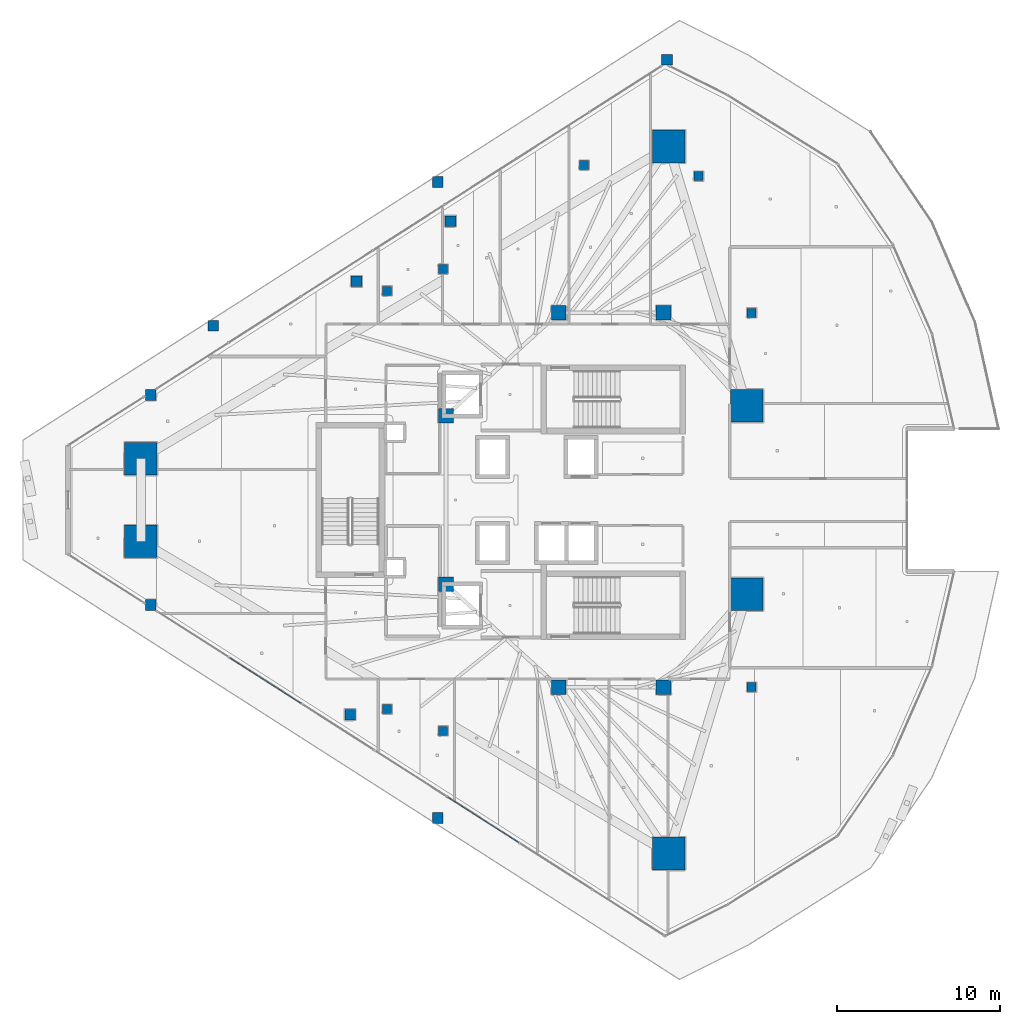
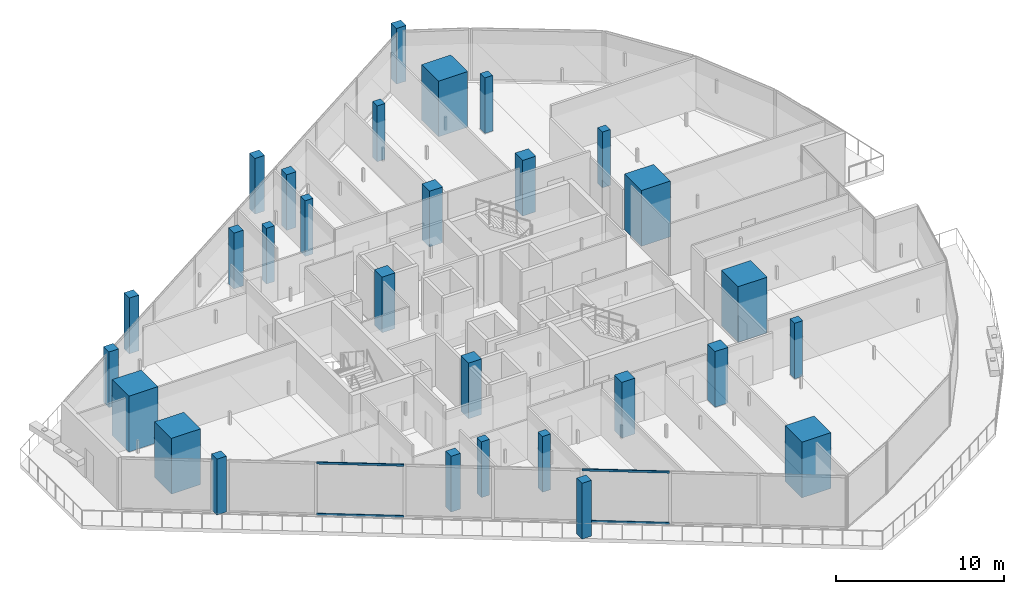
# One storey, part 1 of 33: 29 columns, 4 members, 1 element without a shape of its own.
"""IFC4 building model written with IfcOpenShell, lengths in metres."""

from ifc_helpers import new_model, si_unit, direction, frame, origin, origin_2d, place, context, subcontext, project, spatial, rectangle, hollow_rectangle, extrude, material, layer, layer_set, material_profile, profile_set, type_object, element, aggregate, save


model = new_model("IFC4")

# Units and contexts
model_context = context("Model", 3, precision=1e-05, world=origin(), true_north=direction((0.0, 1.0)))
body_context = subcontext(model_context, "Body", "Model", "MODEL_VIEW")
ifc_project = project(units=[si_unit("LENGTHUNIT", "METRE"), si_unit("AREAUNIT", "SQUARE_METRE"), si_unit("VOLUMEUNIT", "CUBIC_METRE"), si_unit("PLANEANGLEUNIT", "RADIAN"), si_unit("MASSUNIT", "GRAM", prefix="KILO")], contexts=[model_context])

# Site, building, storey
site_placement = place(None, origin())
site = spatial("IfcSite", under=ifc_project, at=site_placement, CompositionType="ELEMENT")
building_placement = place(site_placement, origin())
building = spatial("IfcBuilding", under=site, at=building_placement, Name="Qorvath Tower", CompositionType="ELEMENT")
storey_placement = place(building_placement, frame((0.0, 0.0, 209.10009765625)))
storey = spatial("IfcBuildingStorey", under=building, at=storey_placement, Name="L48", CompositionType="ELEMENT", Elevation=209.10009765625)

# Columns
ifc_material_1 = material(Name="Concrete C60/75", Category="concrete")
ifc_material_profile_1 = material_profile(ifc_material_1, rectangle(XDim=2.0, YDim=2.0, at=origin_2d()), Name="MC 2000x2000")
ifc_profile_set_1 = profile_set([ifc_material_profile_1], Name="Concrete C60/75")
column_type_1 = type_object("IfcColumnType", Name="COL-MC3", PredefinedType="COLUMN", material=ifc_profile_set_1)
for number, where, z_axis, x_axis, name in (
    (1, (-49.171875, 2.52783203125, 0.0), (0.0, 0.0, 1.0), (1.0, 0.0, 0.0), "Composite Mega-Column MC1 L48"),
    (2, (-49.171875, -2.52783203125, 0.0), (0.0, 0.0, 1.0), (1.0, 0.0, 0.0), "Composite Mega-Column MC2 L48"),
    (3, (-16.87158203125, -21.627197265625, 0.0), (0.0, 0.0, 1.0), (1.0, 0.0, 0.0), "Composite Mega-Column MC3 L48"),
    (4, (-12.0966796875, -5.7578125, 0.0), (0.0, 0.0, 1.0), (1.0, 0.0, 0.0), "Composite Mega-Column MC4 L48"),
    (5, (-12.0966796875, 5.7578125, 0.0), (0.0, 0.0, 1.0), (1.0, 0.0, 0.0), "Composite Mega-Column MC5 L48"),
    (6, (-16.87158203125, 21.627197265625, 0.0), (0.0, 0.0, 1.0), (1.0, 0.0, 0.0), "Composite Mega-Column MC6 L48"),
):
    element("IfcColumn", number, at=place(storey_placement, frame(where, z_axis=z_axis, x_axis=x_axis)), inside=storey, type_object=column_type_1, Name=name, PredefinedType="COLUMN", context=body_context, shape_type="SweptSolid", body=[
        extrude(rectangle(XDim=2.0, YDim=2.0, at=origin_2d()), origin(), (0.0, 0.0, 1.0), 4.0498046875),
    ])
ifc_material_2 = material(Name="Concrete C50/60", Category="concrete")
ifc_material_profile_2 = material_profile(ifc_material_2, rectangle(XDim=0.89990234375, YDim=0.89990234375, at=origin_2d()), Name="RC 900x900")
ifc_profile_set_2 = profile_set([ifc_material_profile_2], Name="Concrete C50/60")
column_type_2 = type_object("IfcColumnType", Name="COL-RC3", PredefinedType="COLUMN", material=ifc_profile_set_2)
for number, where, z_axis, x_axis, name in (
    (7, (-23.60009765625, 11.449951171875, 0.0), (0.0, 0.0, 1.0), (1.0, 0.0, 0.0), "Core Spine Column CC1 L48"),
    (8, (-17.199951171875, 11.449951171875, 0.0), (0.0, 0.0, 1.0), (1.0, 0.0, 0.0), "Core Spine Column CC2 L48"),
    (9, (-17.199951171875, -11.449951171875, 0.0), (0.0, 0.0, 1.0), (1.0, 0.0, 0.0), "Core Spine Column CC3 L48"),
    (10, (-23.60009765625, -11.449951171875, 0.0), (0.0, 0.0, 1.0), (1.0, 0.0, 0.0), "Core Spine Column CC4 L48"),
    (11, (-30.5, 5.14990234375, 0.0), (0.0, 0.0, 1.0), (1.0, 0.0, 0.0), "Core Spine Column CC5 L48"),
    (12, (-30.5, -5.14990234375, 0.0), (0.0, 0.0, 1.0), (1.0, 0.0, 0.0), "Core Spine Column CC6 L48"),
):
    element("IfcColumn", number, at=place(storey_placement, frame(where, z_axis=z_axis, x_axis=x_axis)), inside=storey, type_object=column_type_2, Name=name, PredefinedType="COLUMN", context=body_context, shape_type="SweptSolid", body=[
        extrude(rectangle(XDim=0.89990234375, YDim=0.89990234375, at=origin_2d()), origin(), (0.0, 0.0, 1.0), 4.0498046875),
    ])
ifc_material_3 = material(Name="Concrete C45/55", Category="concrete")
ifc_material_profile_3 = material_profile(ifc_material_3, rectangle(XDim=0.64990234375, YDim=0.64990234375, at=origin_2d()), Name="RC 650x650")
ifc_profile_set_3 = profile_set([ifc_material_profile_3], Name="Concrete C45/55")
column_type_3 = type_object("IfcColumnType", Name="COL-RC6", PredefinedType="COLUMN", material=ifc_profile_set_3)
for number, where, z_axis, x_axis, name in (
    (13, (-31.01611328125, 19.46044921875, 0.0), (0.0, 0.0, 1.0), (1.0, 0.0, 0.0), "Loggia Frame Pier Column LGD1 L48"),
    (14, (-31.01611328125, -19.46044921875, 0.0), (0.0, 0.0, 1.0), (1.0, 0.0, 0.0), "Loggia Frame Pier Column LGD2 L48"),
    (15, (-44.736328125, 10.65234375, 0.0), (0.0, 0.0, 1.0), (1.0, 0.0, 0.0), "Loggia Frame Pier Column LGD3 L48"),
    (16, (-48.578369140625, 6.424560546875, 0.0), (0.0, 0.0, 1.0), (1.0, 0.0, 0.0), "Loggia Frame Pier Column LGE1 L48"),
    (17, (-48.578369140625, -6.424560546875, 0.0), (0.0, 0.0, 1.0), (1.0, 0.0, 0.0), "Loggia Frame Pier Column LGE2 L48"),
    (18, (-16.981201171875, 26.92919921875, 0.0), (0.0, 0.0, 1.0), (1.0, 0.0, 0.0), "Loggia Frame Pier Column LGE3 L48"),
    (19, (-35.980712890625, 13.380859375, 0.0), (0.0, 0.0, 1.0), (1.0, 0.0, 0.0), "Loggia Frame Pier Column LGF1 L48"),
    (20, (-36.36474609375, -13.135498046875, 0.0), (0.0, 0.0, 1.0), (1.0, 0.0, 0.0), "Loggia Frame Pier Column LGF2 L48"),
    (21, (-30.224853515625, 17.0595703125, 0.0), (0.0, 0.0, 1.0), (1.0, 0.0, 0.0), "Loggia Frame Pier Column LGF3 L48"),
):
    element("IfcColumn", number, at=place(storey_placement, frame(where, z_axis=z_axis, x_axis=x_axis)), inside=storey, type_object=column_type_3, Name=name, PredefinedType="COLUMN", context=body_context, shape_type="SweptSolid", body=[
        extrude(rectangle(XDim=0.64990234375, YDim=0.64990234375, at=origin_2d()), origin(), (0.0, 0.0, 1.0), 4.0498046875),
    ])
ifc_material_4 = material(Name="Concrete C45/55", Category="concrete")
ifc_material_profile_4 = material_profile(ifc_material_4, rectangle(XDim=0.550048828125, YDim=0.550048828125, at=origin_2d()), Name="RC 550x550")
ifc_profile_set_4 = profile_set([ifc_material_profile_4], Name="Concrete C45/55")
column_type_4 = type_object("IfcColumnType", Name="COL-RC7", PredefinedType="COLUMN", material=ifc_profile_set_4)
for number, where, z_axis, x_axis, name in (
    (22, (-34.104248046875, 12.79248046875, 0.0), (0.0, 0.0, 1.0), (1.0, 0.0, 0.0), "Loggia Frame Pier Column LGG1 L48"),
    (23, (-34.104248046875, -12.79248046875, 0.0), (0.0, 0.0, 1.0), (1.0, 0.0, 0.0), "Loggia Frame Pier Column LGG2 L48"),
    (24, (-22.05322265625, 20.494873046875, 0.0), (0.0, 0.0, 1.0), (1.0, 0.0, 0.0), "Loggia Frame Pier Column LGG3 L48"),
    (25, (-30.67724609375, 14.124267578125, 0.0), (0.0, 0.0, 1.0), (1.0, 0.0, 0.0), "Loggia Frame Pier Column LGH1 L48"),
    (26, (-30.67724609375, -14.124267578125, 0.0), (0.0, 0.0, 1.0), (1.0, 0.0, 0.0), "Loggia Frame Pier Column LGH2 L48"),
    (27, (-15.046142578125, 19.818115234375, 0.0), (0.0, 0.0, 1.0), (1.0, 0.0, 0.0), "Loggia Frame Pier Column LGH3 L48"),
    (28, (-11.800048828125, -11.449951171875, 0.0), (0.0, 0.0, 1.0), (1.0, 0.0, 0.0), "Central Slot Jamb Column SC1 L48"),
    (29, (-11.800048828125, 11.449951171875, 0.0), (0.0, 0.0, 1.0), (1.0, 0.0, 0.0), "Central Slot Jamb Column SC2 L48"),
):
    element("IfcColumn", number, at=place(storey_placement, frame(where, z_axis=z_axis, x_axis=x_axis)), inside=storey, type_object=column_type_4, Name=name, PredefinedType="COLUMN", context=body_context, shape_type="SweptSolid", body=[
        extrude(rectangle(XDim=0.550048828125, YDim=0.550048828125, at=origin_2d()), origin(), (0.0, 0.0, 1.0), 4.0498046875),
    ])

# Curtain wall, members
ifc_material_5 = material(Name="Anodised aluminium and triple low-E glass", Category="aluminium")
ifc_layer = layer(ifc_material_5, 0.179931640625)
ifc_layer_set = layer_set([ifc_layer], Name="CW-SYS-3")
curtain_wall_type = type_object("IfcCurtainWallType", Name="CW-SYS-3", PredefinedType="NOTDEFINED", material=ifc_layer_set)
curtain_wall_placement = place(storey_placement, origin())
curtain_wall = element("IfcCurtainWall", 30, at=curtain_wall_placement, inside=storey, type_object=curtain_wall_type, Name="Curtain Wall CW-3 CW-T-L48-2.2", PredefinedType="NOTDEFINED")
ifc_material_6 = material(Name="Anodised aluminium 6063-T6", Category="aluminium")
ifc_material_profile_5 = material_profile(ifc_material_6, hollow_rectangle(XDim=0.06494140625, YDim=0.159912109375, WallThickness=0.00341796875, InnerFilletRadius=0.00341796875, OuterFilletRadius=0.007080078125, at=origin_2d()), Name="CWT 160x65")
ifc_profile_set_5 = profile_set([ifc_material_profile_5], Name="Anodised aluminium 6063-T6")
member_type = type_object("IfcMemberType", Name="CWT-160", PredefinedType="USERDEFINED", material=ifc_profile_set_5)
member_1_placement = place(storey_placement, frame((-43.74755859375, -9.65283203125, 0.032470703125), z_axis=(0.842586988397, -0.538560272379, 0.0), x_axis=(0.538560272379, 0.842586988397, 0.0)))
member_1 = element("IfcMember", 31, at=member_1_placement, type_object=member_type, Name="CW-3 transom 2.1", ObjectType="TRANSOM", PredefinedType="USERDEFINED", context=body_context, shape_type="SweptSolid", body=[
    extrude(hollow_rectangle(XDim=0.06494140625, YDim=0.159912109375, WallThickness=0.00341796875, InnerFilletRadius=0.00341796875, OuterFilletRadius=0.007080078125, at=origin_2d()), origin(), (0.0, 0.0, 1.0), 5.2099609375),
])
member_2_placement = place(storey_placement, frame((-43.74755859375, -9.65283203125, 3.747314453125), z_axis=(0.842586988397, -0.538560272379, 0.0), x_axis=(0.538560272379, 0.842586988397, 0.0)))
member_2 = element("IfcMember", 32, at=member_2_placement, type_object=member_type, Name="CW-3 transom 2.2", ObjectType="TRANSOM", PredefinedType="USERDEFINED", context=body_context, shape_type="SweptSolid", body=[
    extrude(hollow_rectangle(XDim=0.06494140625, YDim=0.159912109375, WallThickness=0.00341796875, InnerFilletRadius=0.00341796875, OuterFilletRadius=0.007080078125, at=origin_2d()), origin(), (0.0, 0.0, 1.0), 5.2099609375),
])
member_3_placement = place(storey_placement, frame((-30.41357421875, -18.17529296875, 0.032470703125), z_axis=(0.842621841948, -0.538505739498, 0.0), x_axis=(0.538505739498, 0.842621841948, 0.0)))
member_3 = element("IfcMember", 33, at=member_3_placement, type_object=member_type, Name="CW-3 transom 5.1", ObjectType="TRANSOM", PredefinedType="USERDEFINED", context=body_context, shape_type="SweptSolid", body=[
    extrude(hollow_rectangle(XDim=0.06494140625, YDim=0.159912109375, WallThickness=0.00341796875, InnerFilletRadius=0.00341796875, OuterFilletRadius=0.007080078125, at=origin_2d()), origin(), (0.0, 0.0, 1.0), 5.210205078125),
])
member_4_placement = place(storey_placement, frame((-30.41357421875, -18.17529296875, 3.747314453125), z_axis=(0.842621841948, -0.538505739498, 0.0), x_axis=(0.538505739498, 0.842621841948, 0.0)))
member_4 = element("IfcMember", 34, at=member_4_placement, type_object=member_type, Name="CW-3 transom 5.2", ObjectType="TRANSOM", PredefinedType="USERDEFINED", context=body_context, shape_type="SweptSolid", body=[
    extrude(hollow_rectangle(XDim=0.06494140625, YDim=0.159912109375, WallThickness=0.00341796875, InnerFilletRadius=0.00341796875, OuterFilletRadius=0.007080078125, at=origin_2d()), origin(), (0.0, 0.0, 1.0), 5.210205078125),
])
aggregate(curtain_wall, [member_1, member_2, member_3, member_4])

save(model, "model.ifc")
